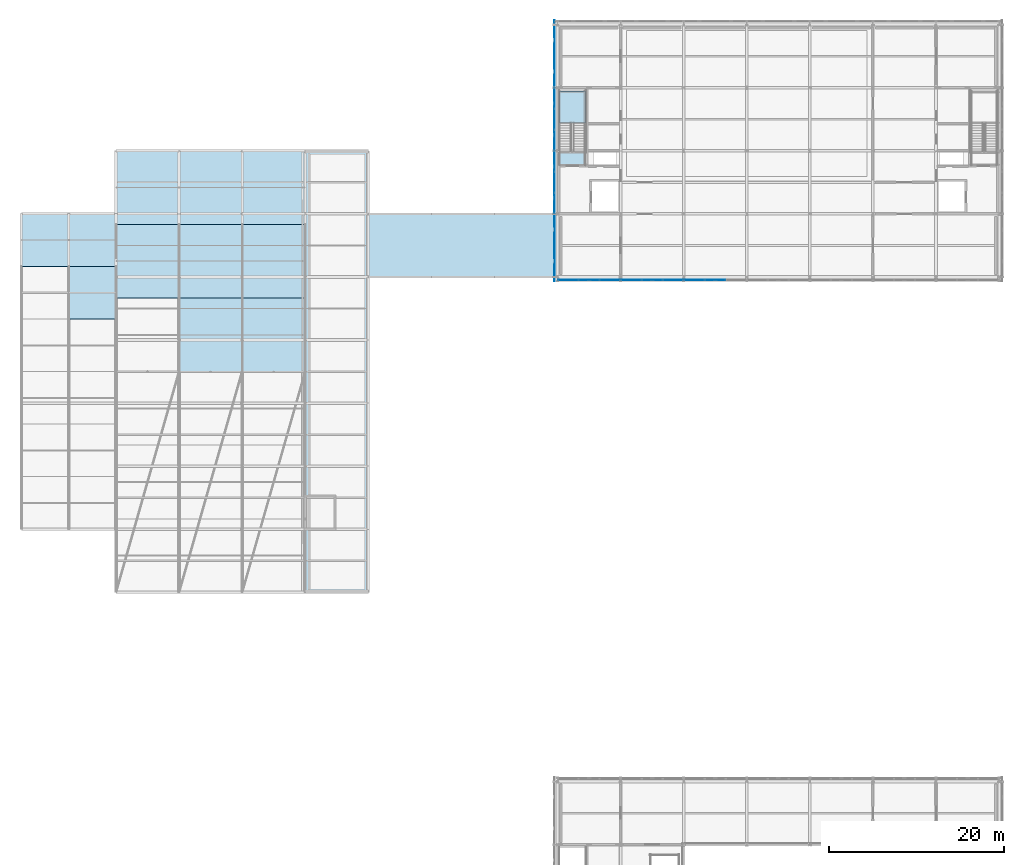
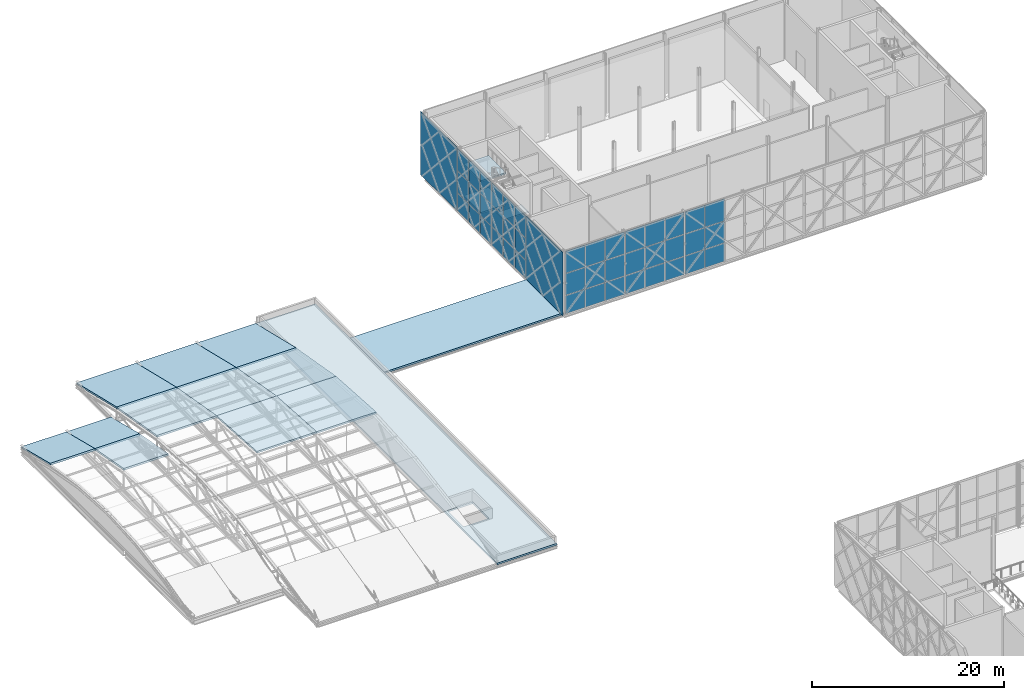
# One storey, part 56 of 76: 44 plates, 16 slabs, 6 elements without a shape of their own.
"""IFC4 building model written with IfcOpenShell, lengths in metres."""

from ifc_helpers import new_model, si_unit, direction, frame, origin, origin_2d, place, context, subcontext, project, spatial, polyline, rectangle, outline, extrude, material, layer, layer_set, type_object, element, aggregate, save


model = new_model("IFC4")

# Units and contexts
model_context = context("Model", 3, precision=1e-05, world=origin(), true_north=direction((0.0, 1.0)))
body_context = subcontext(model_context, "Body", "Model", "MODEL_VIEW")
ifc_project = project(units=[si_unit("LENGTHUNIT", "METRE"), si_unit("AREAUNIT", "SQUARE_METRE"), si_unit("VOLUMEUNIT", "CUBIC_METRE"), si_unit("PLANEANGLEUNIT", "RADIAN"), si_unit("MASSUNIT", "GRAM", prefix="KILO")], contexts=[model_context])

# Site, building, storey
site_placement = place(None, origin())
site = spatial("IfcSite", under=ifc_project, at=site_placement, CompositionType="ELEMENT")
building_placement = place(site_placement, origin())
building = spatial("IfcBuilding", under=site, at=building_placement, Name="Zlatovets Crest Museum", CompositionType="ELEMENT")
storey_placement = place(building_placement, frame((0.0, 0.0, 17.10009765625)))
storey = spatial("IfcBuildingStorey", under=building, at=storey_placement, Name="L04", CompositionType="ELEMENT", Elevation=17.10009765625)

# Curtain wall, plates
ifc_material_1 = material(Name="Bronze-anodised aluminium and low-E triple glass", Category="aluminium")
curtain_wall_type_1 = type_object("IfcCurtainWallType", Name="CW_CW-V1-L04-M0", PredefinedType="NOTDEFINED", material=ifc_material_1)
curtain_wall_1_placement = place(storey_placement, origin())
curtain_wall_1 = element("IfcCurtainWall", 1, at=curtain_wall_1_placement, inside=storey, type_object=curtain_wall_type_1, Name="V1 L04 Secession Foyer Clear Curtain Wall", PredefinedType="NOTDEFINED")
ifc_material_2 = material(Name="Solar-control low-E laminated triple glass", Category="glass")
ifc_layer_1 = layer(ifc_material_2, 0.028076171875)
ifc_layer_set_1 = layer_set([ifc_layer_1], Name="Solar-control low-E laminated triple glass")
plate_type_1 = type_object("IfcPlateType", Name="CWPanel_CW-V1-L04-M0", PredefinedType="CURTAIN_PANEL", material=ifc_layer_set_1)
plate_1_placement = place(storey_placement, frame((58.81494140625, 86.06005859375, 0.059814453125), z_axis=(0.0, 0.0, 1.0), x_axis=(1.0, 0.0, 0.0)))
plate_1 = element("IfcPlate", 2, at=plate_1_placement, type_object=plate_type_1, Name="CW-V1-L04-M0 panel 1.1", PredefinedType="CURTAIN_PANEL", context=body_context, shape_type="SweptSolid", body=[
    extrude(rectangle(XDim=2.31005859375, YDim=0.028076171875, at=origin_2d()), origin(), (0.0, 0.0, 1.0), 2.31005859375),
])
plate_2_placement = place(storey_placement, frame((58.81494140625, 86.06005859375, 2.4296875), z_axis=(0.0, 0.0, 1.0), x_axis=(1.0, 0.0, 0.0)))
plate_2 = element("IfcPlate", 3, at=plate_2_placement, type_object=plate_type_1, Name="CW-V1-L04-M0 panel 1.2", PredefinedType="CURTAIN_PANEL", context=body_context, shape_type="SweptSolid", body=[
    extrude(rectangle(XDim=2.31005859375, YDim=0.028076171875, at=origin_2d()), origin(), (0.0, 0.0, 1.0), 2.739990234375),
])
plate_3_placement = place(storey_placement, frame((58.81494140625, 86.06005859375, 5.22998046875), z_axis=(0.0, 0.0, 1.0), x_axis=(1.0, 0.0, 0.0)))
plate_3 = element("IfcPlate", 4, at=plate_3_placement, type_object=plate_type_1, Name="CW-V1-L04-M0 panel 1.3", PredefinedType="CURTAIN_PANEL", context=body_context, shape_type="SweptSolid", body=[
    extrude(rectangle(XDim=2.31005859375, YDim=0.028076171875, at=origin_2d()), origin(), (0.0, 0.0, 1.0), 2.81005859375),
])
plate_4_placement = place(storey_placement, frame((61.199951171875, 86.06005859375, 0.059814453125), z_axis=(0.0, 0.0, 1.0), x_axis=(1.0, 0.0, 0.0)))
plate_4 = element("IfcPlate", 5, at=plate_4_placement, type_object=plate_type_1, Name="CW-V1-L04-M0 panel 2.1", PredefinedType="CURTAIN_PANEL", context=body_context, shape_type="SweptSolid", body=[
    extrude(rectangle(XDim=2.340087890625, YDim=0.028076171875, at=origin_2d()), origin(), (0.0, 0.0, 1.0), 2.31005859375),
])
plate_5_placement = place(storey_placement, frame((61.199951171875, 86.06005859375, 2.4296875), z_axis=(0.0, 0.0, 1.0), x_axis=(1.0, 0.0, 0.0)))
plate_5 = element("IfcPlate", 6, at=plate_5_placement, type_object=plate_type_1, Name="CW-V1-L04-M0 panel 2.2", PredefinedType="CURTAIN_PANEL", context=body_context, shape_type="SweptSolid", body=[
    extrude(rectangle(XDim=2.340087890625, YDim=0.028076171875, at=origin_2d()), origin(), (0.0, 0.0, 1.0), 2.739990234375),
])
plate_6_placement = place(storey_placement, frame((61.199951171875, 86.06005859375, 5.22998046875), z_axis=(0.0, 0.0, 1.0), x_axis=(1.0, 0.0, 0.0)))
plate_6 = element("IfcPlate", 7, at=plate_6_placement, type_object=plate_type_1, Name="CW-V1-L04-M0 panel 2.3", PredefinedType="CURTAIN_PANEL", context=body_context, shape_type="SweptSolid", body=[
    extrude(rectangle(XDim=2.340087890625, YDim=0.028076171875, at=origin_2d()), origin(), (0.0, 0.0, 1.0), 2.81005859375),
])
plate_7_placement = place(storey_placement, frame((63.5849609375, 86.06005859375, 0.059814453125), z_axis=(0.0, 0.0, 1.0), x_axis=(1.0, 0.0, 0.0)))
plate_7 = element("IfcPlate", 8, at=plate_7_placement, type_object=plate_type_1, Name="CW-V1-L04-M0 panel 3.1", PredefinedType="CURTAIN_PANEL", context=body_context, shape_type="SweptSolid", body=[
    extrude(rectangle(XDim=2.31005859375, YDim=0.028076171875, at=origin_2d()), origin(), (0.0, 0.0, 1.0), 2.31005859375),
])
plate_8_placement = place(storey_placement, frame((63.5849609375, 86.06005859375, 2.4296875), z_axis=(0.0, 0.0, 1.0), x_axis=(1.0, 0.0, 0.0)))
plate_8 = element("IfcPlate", 9, at=plate_8_placement, type_object=plate_type_1, Name="CW-V1-L04-M0 panel 3.2", PredefinedType="CURTAIN_PANEL", context=body_context, shape_type="SweptSolid", body=[
    extrude(rectangle(XDim=2.31005859375, YDim=0.028076171875, at=origin_2d()), origin(), (0.0, 0.0, 1.0), 2.739990234375),
])
plate_9_placement = place(storey_placement, frame((63.5849609375, 86.06005859375, 5.22998046875), z_axis=(0.0, 0.0, 1.0), x_axis=(1.0, 0.0, 0.0)))
plate_9 = element("IfcPlate", 10, at=plate_9_placement, type_object=plate_type_1, Name="CW-V1-L04-M0 panel 3.3", PredefinedType="CURTAIN_PANEL", context=body_context, shape_type="SweptSolid", body=[
    extrude(rectangle(XDim=2.31005859375, YDim=0.028076171875, at=origin_2d()), origin(), (0.0, 0.0, 1.0), 2.81005859375),
])
aggregate(curtain_wall_1, [plate_1, plate_2, plate_3, plate_4, plate_5, plate_6, plate_7, plate_8, plate_9])

curtain_wall_2_placement = place(storey_placement, origin())
curtain_wall_2 = element("IfcCurtainWall", 11, at=curtain_wall_2_placement, inside=storey, type_object=curtain_wall_type_1, Name="V1 L04 Expressed Core Glazed Facade", PredefinedType="NOTDEFINED")
plate_10_placement = place(storey_placement, frame((57.260009765625, 99.5849609375, 0.059814453125), z_axis=(0.0, 0.0, 1.0), x_axis=(0.0, -1.0, 0.0)))
plate_10 = element("IfcPlate", 12, at=plate_10_placement, type_object=plate_type_1, Name="CW-V1-L04-M0 panel 1.1", PredefinedType="CURTAIN_PANEL", context=body_context, shape_type="SweptSolid", body=[
    extrude(rectangle(XDim=2.31005859375, YDim=0.030029296875, at=origin_2d()), origin(), (0.0, 0.0, 1.0), 2.31005859375),
])
plate_11_placement = place(storey_placement, frame((57.260009765625, 99.5849609375, 2.4296875), z_axis=(0.0, 0.0, 1.0), x_axis=(0.0, -1.0, 0.0)))
plate_11 = element("IfcPlate", 13, at=plate_11_placement, type_object=plate_type_1, Name="CW-V1-L04-M0 panel 1.2", PredefinedType="CURTAIN_PANEL", context=body_context, shape_type="SweptSolid", body=[
    extrude(rectangle(XDim=2.31005859375, YDim=0.030029296875, at=origin_2d()), origin(), (0.0, 0.0, 1.0), 2.739990234375),
])
plate_12_placement = place(storey_placement, frame((57.260009765625, 99.5849609375, 5.22998046875), z_axis=(0.0, 0.0, 1.0), x_axis=(0.0, -1.0, 0.0)))
plate_12 = element("IfcPlate", 14, at=plate_12_placement, type_object=plate_type_1, Name="CW-V1-L04-M0 panel 1.3", PredefinedType="CURTAIN_PANEL", context=body_context, shape_type="SweptSolid", body=[
    extrude(rectangle(XDim=2.31005859375, YDim=0.030029296875, at=origin_2d()), origin(), (0.0, 0.0, 1.0), 2.81005859375),
])
plate_13_placement = place(storey_placement, frame((57.260009765625, 97.199951171875, 0.059814453125), z_axis=(0.0, 0.0, 1.0), x_axis=(0.0, -1.0, 0.0)))
plate_13 = element("IfcPlate", 15, at=plate_13_placement, type_object=plate_type_1, Name="CW-V1-L04-M0 panel 2.1", PredefinedType="CURTAIN_PANEL", context=body_context, shape_type="SweptSolid", body=[
    extrude(rectangle(XDim=2.340087890625, YDim=0.030029296875, at=origin_2d()), origin(), (0.0, 0.0, 1.0), 2.31005859375),
])
plate_14_placement = place(storey_placement, frame((57.260009765625, 97.199951171875, 2.4296875), z_axis=(0.0, 0.0, 1.0), x_axis=(0.0, -1.0, 0.0)))
plate_14 = element("IfcPlate", 16, at=plate_14_placement, type_object=plate_type_1, Name="CW-V1-L04-M0 panel 2.2", PredefinedType="CURTAIN_PANEL", context=body_context, shape_type="SweptSolid", body=[
    extrude(rectangle(XDim=2.340087890625, YDim=0.030029296875, at=origin_2d()), origin(), (0.0, 0.0, 1.0), 2.739990234375),
])
plate_15_placement = place(storey_placement, frame((57.260009765625, 97.199951171875, 5.22998046875), z_axis=(0.0, 0.0, 1.0), x_axis=(0.0, -1.0, 0.0)))
plate_15 = element("IfcPlate", 17, at=plate_15_placement, type_object=plate_type_1, Name="CW-V1-L04-M0 panel 2.3", PredefinedType="CURTAIN_PANEL", context=body_context, shape_type="SweptSolid", body=[
    extrude(rectangle(XDim=2.340087890625, YDim=0.030029296875, at=origin_2d()), origin(), (0.0, 0.0, 1.0), 2.81005859375),
])
plate_16_placement = place(storey_placement, frame((57.260009765625, 94.81494140625, 0.059814453125), z_axis=(0.0, 0.0, 1.0), x_axis=(0.0, -1.0, 0.0)))
plate_16 = element("IfcPlate", 18, at=plate_16_placement, type_object=plate_type_1, Name="CW-V1-L04-M0 panel 3.1", PredefinedType="CURTAIN_PANEL", context=body_context, shape_type="SweptSolid", body=[
    extrude(rectangle(XDim=2.31005859375, YDim=0.030029296875, at=origin_2d()), origin(), (0.0, 0.0, 1.0), 2.31005859375),
])
plate_17_placement = place(storey_placement, frame((57.260009765625, 94.81494140625, 2.4296875), z_axis=(0.0, 0.0, 1.0), x_axis=(0.0, -1.0, 0.0)))
plate_17 = element("IfcPlate", 19, at=plate_17_placement, type_object=plate_type_1, Name="CW-V1-L04-M0 panel 3.2", PredefinedType="CURTAIN_PANEL", context=body_context, shape_type="SweptSolid", body=[
    extrude(rectangle(XDim=2.31005859375, YDim=0.030029296875, at=origin_2d()), origin(), (0.0, 0.0, 1.0), 2.739990234375),
])
plate_18_placement = place(storey_placement, frame((57.260009765625, 94.81494140625, 5.22998046875), z_axis=(0.0, 0.0, 1.0), x_axis=(0.0, -1.0, 0.0)))
plate_18 = element("IfcPlate", 20, at=plate_18_placement, type_object=plate_type_1, Name="CW-V1-L04-M0 panel 3.3", PredefinedType="CURTAIN_PANEL", context=body_context, shape_type="SweptSolid", body=[
    extrude(rectangle(XDim=2.31005859375, YDim=0.030029296875, at=origin_2d()), origin(), (0.0, 0.0, 1.0), 2.81005859375),
])
aggregate(curtain_wall_2, [plate_10, plate_11, plate_12, plate_13, plate_14, plate_15, plate_16, plate_17, plate_18])

curtain_wall_type_2 = type_object("IfcCurtainWallType", Name="CW_CW-V1-L04-M1", PredefinedType="NOTDEFINED", material=ifc_material_1)
curtain_wall_3_placement = place(storey_placement, origin())
curtain_wall_3 = element("IfcCurtainWall", 21, at=curtain_wall_3_placement, inside=storey, type_object=curtain_wall_type_2, Name="V1 L04 Secession Foyer Clear Curtain Wall", PredefinedType="NOTDEFINED")
ifc_layer_2 = layer(ifc_material_2, 0.031982421875)
ifc_layer_set_2 = layer_set([ifc_layer_2], Name="Solar-control low-E laminated triple glass")
plate_type_2 = type_object("IfcPlateType", Name="CWPanel_CW-V1-L04-M1", PredefinedType="CURTAIN_PANEL", material=ifc_layer_set_2)
plate_19_placement = place(storey_placement, frame((66.014892578125, 86.06005859375, 0.059814453125), z_axis=(0.0, 0.0, 1.0), x_axis=(1.0, 0.0, 0.0)))
plate_19 = element("IfcPlate", 22, at=plate_19_placement, type_object=plate_type_2, Name="CW-V1-L04-M1 panel 1.1", PredefinedType="CURTAIN_PANEL", context=body_context, shape_type="SweptSolid", body=[
    extrude(rectangle(XDim=2.31005859375, YDim=0.031982421875, at=origin_2d()), origin(), (0.0, 0.0, 1.0), 2.31005859375),
])
plate_20_placement = place(storey_placement, frame((66.014892578125, 86.06005859375, 2.4296875), z_axis=(0.0, 0.0, 1.0), x_axis=(1.0, 0.0, 0.0)))
plate_20 = element("IfcPlate", 23, at=plate_20_placement, type_object=plate_type_2, Name="CW-V1-L04-M1 panel 1.2", PredefinedType="CURTAIN_PANEL", context=body_context, shape_type="SweptSolid", body=[
    extrude(rectangle(XDim=2.31005859375, YDim=0.031982421875, at=origin_2d()), origin(), (0.0, 0.0, 1.0), 2.739990234375),
])
plate_21_placement = place(storey_placement, frame((66.014892578125, 86.06005859375, 5.22998046875), z_axis=(0.0, 0.0, 1.0), x_axis=(1.0, 0.0, 0.0)))
plate_21 = element("IfcPlate", 24, at=plate_21_placement, type_object=plate_type_2, Name="CW-V1-L04-M1 panel 1.3", PredefinedType="CURTAIN_PANEL", context=body_context, shape_type="SweptSolid", body=[
    extrude(rectangle(XDim=2.31005859375, YDim=0.031982421875, at=origin_2d()), origin(), (0.0, 0.0, 1.0), 2.81005859375),
])
plate_22_placement = place(storey_placement, frame((68.39990234375, 86.06005859375, 0.059814453125), z_axis=(0.0, 0.0, 1.0), x_axis=(1.0, 0.0, 0.0)))
plate_22 = element("IfcPlate", 25, at=plate_22_placement, type_object=plate_type_2, Name="CW-V1-L04-M1 panel 2.1", PredefinedType="CURTAIN_PANEL", context=body_context, shape_type="SweptSolid", body=[
    extrude(rectangle(XDim=2.340087890625, YDim=0.031982421875, at=origin_2d()), origin(), (0.0, 0.0, 1.0), 2.31005859375),
])
plate_23_placement = place(storey_placement, frame((68.39990234375, 86.06005859375, 2.4296875), z_axis=(0.0, 0.0, 1.0), x_axis=(1.0, 0.0, 0.0)))
plate_23 = element("IfcPlate", 26, at=plate_23_placement, type_object=plate_type_2, Name="CW-V1-L04-M1 panel 2.2", PredefinedType="CURTAIN_PANEL", context=body_context, shape_type="SweptSolid", body=[
    extrude(rectangle(XDim=2.340087890625, YDim=0.031982421875, at=origin_2d()), origin(), (0.0, 0.0, 1.0), 2.739990234375),
])
plate_24_placement = place(storey_placement, frame((68.39990234375, 86.06005859375, 5.22998046875), z_axis=(0.0, 0.0, 1.0), x_axis=(1.0, 0.0, 0.0)))
plate_24 = element("IfcPlate", 27, at=plate_24_placement, type_object=plate_type_2, Name="CW-V1-L04-M1 panel 2.3", PredefinedType="CURTAIN_PANEL", context=body_context, shape_type="SweptSolid", body=[
    extrude(rectangle(XDim=2.340087890625, YDim=0.031982421875, at=origin_2d()), origin(), (0.0, 0.0, 1.0), 2.81005859375),
])
plate_25_placement = place(storey_placement, frame((70.784912109375, 86.06005859375, 0.059814453125), z_axis=(0.0, 0.0, 1.0), x_axis=(1.0, 0.0, 0.0)))
plate_25 = element("IfcPlate", 28, at=plate_25_placement, type_object=plate_type_2, Name="CW-V1-L04-M1 panel 3.1", PredefinedType="CURTAIN_PANEL", context=body_context, shape_type="SweptSolid", body=[
    extrude(rectangle(XDim=2.31005859375, YDim=0.031982421875, at=origin_2d()), origin(), (0.0, 0.0, 1.0), 2.31005859375),
])
plate_26_placement = place(storey_placement, frame((70.784912109375, 86.06005859375, 2.4296875), z_axis=(0.0, 0.0, 1.0), x_axis=(1.0, 0.0, 0.0)))
plate_26 = element("IfcPlate", 29, at=plate_26_placement, type_object=plate_type_2, Name="CW-V1-L04-M1 panel 3.2", PredefinedType="CURTAIN_PANEL", context=body_context, shape_type="SweptSolid", body=[
    extrude(rectangle(XDim=2.31005859375, YDim=0.031982421875, at=origin_2d()), origin(), (0.0, 0.0, 1.0), 2.739990234375),
])
plate_27_placement = place(storey_placement, frame((70.784912109375, 86.06005859375, 5.22998046875), z_axis=(0.0, 0.0, 1.0), x_axis=(1.0, 0.0, 0.0)))
plate_27 = element("IfcPlate", 30, at=plate_27_placement, type_object=plate_type_2, Name="CW-V1-L04-M1 panel 3.3", PredefinedType="CURTAIN_PANEL", context=body_context, shape_type="SweptSolid", body=[
    extrude(rectangle(XDim=2.31005859375, YDim=0.031982421875, at=origin_2d()), origin(), (0.0, 0.0, 1.0), 2.81005859375),
])
aggregate(curtain_wall_3, [plate_19, plate_20, plate_21, plate_22, plate_23, plate_24, plate_25, plate_26, plate_27])

curtain_wall_type_3 = type_object("IfcCurtainWallType", Name="CW_CW-V1-L04-M2", PredefinedType="NOTDEFINED", material=ifc_material_1)
curtain_wall_4_placement = place(storey_placement, origin())
curtain_wall_4 = element("IfcCurtainWall", 31, at=curtain_wall_4_placement, inside=storey, type_object=curtain_wall_type_3, Name="V1 L04 Secession Foyer Clear Curtain Wall", PredefinedType="NOTDEFINED")
ifc_layer_3 = layer(ifc_material_2, 0.035888671875)
ifc_layer_set_3 = layer_set([ifc_layer_3], Name="Solar-control low-E laminated triple glass")
plate_type_3 = type_object("IfcPlateType", Name="CWPanel_CW-V1-L04-M2", PredefinedType="CURTAIN_PANEL", material=ifc_layer_set_3)
plate_28_placement = place(storey_placement, frame((73.215087890625, 86.06005859375, 0.059814453125), z_axis=(0.0, 0.0, 1.0), x_axis=(1.0, 0.0, 0.0)))
plate_28 = element("IfcPlate", 32, at=plate_28_placement, type_object=plate_type_3, Name="CW-V1-L04-M2 panel 1.1", PredefinedType="CURTAIN_PANEL", context=body_context, shape_type="SweptSolid", body=[
    extrude(rectangle(XDim=2.31005859375, YDim=0.035888671875, at=origin_2d()), origin(), (0.0, 0.0, 1.0), 2.31005859375),
])
plate_29_placement = place(storey_placement, frame((73.215087890625, 86.06005859375, 2.4296875), z_axis=(0.0, 0.0, 1.0), x_axis=(1.0, 0.0, 0.0)))
plate_29 = element("IfcPlate", 33, at=plate_29_placement, type_object=plate_type_3, Name="CW-V1-L04-M2 panel 1.2", PredefinedType="CURTAIN_PANEL", context=body_context, shape_type="SweptSolid", body=[
    extrude(rectangle(XDim=2.31005859375, YDim=0.035888671875, at=origin_2d()), origin(), (0.0, 0.0, 1.0), 2.739990234375),
])
plate_30_placement = place(storey_placement, frame((73.215087890625, 86.06005859375, 5.22998046875), z_axis=(0.0, 0.0, 1.0), x_axis=(1.0, 0.0, 0.0)))
plate_30 = element("IfcPlate", 34, at=plate_30_placement, type_object=plate_type_3, Name="CW-V1-L04-M2 panel 1.3", PredefinedType="CURTAIN_PANEL", context=body_context, shape_type="SweptSolid", body=[
    extrude(rectangle(XDim=2.31005859375, YDim=0.035888671875, at=origin_2d()), origin(), (0.0, 0.0, 1.0), 2.81005859375),
])
plate_31_placement = place(storey_placement, frame((75.60009765625, 86.06005859375, 0.059814453125), z_axis=(0.0, 0.0, 1.0), x_axis=(1.0, 0.0, 0.0)))
plate_31 = element("IfcPlate", 35, at=plate_31_placement, type_object=plate_type_3, Name="CW-V1-L04-M2 panel 2.1", PredefinedType="CURTAIN_PANEL", context=body_context, shape_type="SweptSolid", body=[
    extrude(rectangle(XDim=2.340087890625, YDim=0.035888671875, at=origin_2d()), origin(), (0.0, 0.0, 1.0), 2.31005859375),
])
plate_32_placement = place(storey_placement, frame((75.60009765625, 86.06005859375, 2.4296875), z_axis=(0.0, 0.0, 1.0), x_axis=(1.0, 0.0, 0.0)))
plate_32 = element("IfcPlate", 36, at=plate_32_placement, type_object=plate_type_3, Name="CW-V1-L04-M2 panel 2.2", PredefinedType="CURTAIN_PANEL", context=body_context, shape_type="SweptSolid", body=[
    extrude(rectangle(XDim=2.340087890625, YDim=0.035888671875, at=origin_2d()), origin(), (0.0, 0.0, 1.0), 2.739990234375),
])
plate_33_placement = place(storey_placement, frame((75.60009765625, 86.06005859375, 5.22998046875), z_axis=(0.0, 0.0, 1.0), x_axis=(1.0, 0.0, 0.0)))
plate_33 = element("IfcPlate", 37, at=plate_33_placement, type_object=plate_type_3, Name="CW-V1-L04-M2 panel 2.3", PredefinedType="CURTAIN_PANEL", context=body_context, shape_type="SweptSolid", body=[
    extrude(rectangle(XDim=2.340087890625, YDim=0.035888671875, at=origin_2d()), origin(), (0.0, 0.0, 1.0), 2.81005859375),
])
aggregate(curtain_wall_4, [plate_28, plate_29, plate_30, plate_31, plate_32, plate_33])

curtain_wall_type_4 = type_object("IfcCurtainWallType", Name="CW_CW-V1-L04-M3", PredefinedType="NOTDEFINED", material=ifc_material_1)
curtain_wall_5_placement = place(storey_placement, origin())
curtain_wall_5 = element("IfcCurtainWall", 38, at=curtain_wall_5_placement, inside=storey, type_object=curtain_wall_type_4, Name="V1 L04 Expressed Core Glazed Facade", PredefinedType="NOTDEFINED")
ifc_layer_4 = layer(ifc_material_2, 0.0400390625)
ifc_layer_set_4 = layer_set([ifc_layer_4], Name="Solar-control low-E laminated triple glass")
plate_type_4 = type_object("IfcPlateType", Name="CWPanel_CW-V1-L04-M3", PredefinedType="CURTAIN_PANEL", material=ifc_layer_set_4)
plate_34_placement = place(storey_placement, frame((57.260009765625, 106.784912109375, 0.059814453125), z_axis=(0.0, 0.0, 1.0), x_axis=(0.0, -1.0, 0.0)))
plate_34 = element("IfcPlate", 39, at=plate_34_placement, type_object=plate_type_4, Name="CW-V1-L04-M3 panel 1.1", PredefinedType="CURTAIN_PANEL", context=body_context, shape_type="SweptSolid", body=[
    extrude(rectangle(XDim=2.31005859375, YDim=0.030029296875, at=origin_2d()), origin(), (0.0, 0.0, 1.0), 2.31005859375),
])
plate_35_placement = place(storey_placement, frame((57.260009765625, 106.784912109375, 2.4296875), z_axis=(0.0, 0.0, 1.0), x_axis=(0.0, -1.0, 0.0)))
plate_35 = element("IfcPlate", 40, at=plate_35_placement, type_object=plate_type_4, Name="CW-V1-L04-M3 panel 1.2", PredefinedType="CURTAIN_PANEL", context=body_context, shape_type="SweptSolid", body=[
    extrude(rectangle(XDim=2.31005859375, YDim=0.030029296875, at=origin_2d()), origin(), (0.0, 0.0, 1.0), 2.739990234375),
])
plate_36_placement = place(storey_placement, frame((57.260009765625, 106.784912109375, 5.22998046875), z_axis=(0.0, 0.0, 1.0), x_axis=(0.0, -1.0, 0.0)))
plate_36 = element("IfcPlate", 41, at=plate_36_placement, type_object=plate_type_4, Name="CW-V1-L04-M3 panel 1.3", PredefinedType="CURTAIN_PANEL", context=body_context, shape_type="SweptSolid", body=[
    extrude(rectangle(XDim=2.31005859375, YDim=0.030029296875, at=origin_2d()), origin(), (0.0, 0.0, 1.0), 2.81005859375),
])
plate_37_placement = place(storey_placement, frame((57.260009765625, 104.39990234375, 0.059814453125), z_axis=(0.0, 0.0, 1.0), x_axis=(0.0, -1.0, 0.0)))
plate_37 = element("IfcPlate", 42, at=plate_37_placement, type_object=plate_type_4, Name="CW-V1-L04-M3 panel 2.1", PredefinedType="CURTAIN_PANEL", context=body_context, shape_type="SweptSolid", body=[
    extrude(rectangle(XDim=2.340087890625, YDim=0.030029296875, at=origin_2d()), origin(), (0.0, 0.0, 1.0), 2.31005859375),
])
plate_38_placement = place(storey_placement, frame((57.260009765625, 104.39990234375, 2.4296875), z_axis=(0.0, 0.0, 1.0), x_axis=(0.0, -1.0, 0.0)))
plate_38 = element("IfcPlate", 43, at=plate_38_placement, type_object=plate_type_4, Name="CW-V1-L04-M3 panel 2.2", PredefinedType="CURTAIN_PANEL", context=body_context, shape_type="SweptSolid", body=[
    extrude(rectangle(XDim=2.340087890625, YDim=0.030029296875, at=origin_2d()), origin(), (0.0, 0.0, 1.0), 2.739990234375),
])
plate_39_placement = place(storey_placement, frame((57.260009765625, 104.39990234375, 5.22998046875), z_axis=(0.0, 0.0, 1.0), x_axis=(0.0, -1.0, 0.0)))
plate_39 = element("IfcPlate", 44, at=plate_39_placement, type_object=plate_type_4, Name="CW-V1-L04-M3 panel 2.3", PredefinedType="CURTAIN_PANEL", context=body_context, shape_type="SweptSolid", body=[
    extrude(rectangle(XDim=2.340087890625, YDim=0.030029296875, at=origin_2d()), origin(), (0.0, 0.0, 1.0), 2.81005859375),
])
plate_40_placement = place(storey_placement, frame((57.260009765625, 102.014892578125, 0.059814453125), z_axis=(0.0, 0.0, 1.0), x_axis=(0.0, -1.0, 0.0)))
plate_40 = element("IfcPlate", 45, at=plate_40_placement, type_object=plate_type_4, Name="CW-V1-L04-M3 panel 3.1", PredefinedType="CURTAIN_PANEL", context=body_context, shape_type="SweptSolid", body=[
    extrude(rectangle(XDim=2.31005859375, YDim=0.030029296875, at=origin_2d()), origin(), (0.0, 0.0, 1.0), 2.31005859375),
])
plate_41_placement = place(storey_placement, frame((57.260009765625, 102.014892578125, 2.4296875), z_axis=(0.0, 0.0, 1.0), x_axis=(0.0, -1.0, 0.0)))
plate_41 = element("IfcPlate", 46, at=plate_41_placement, type_object=plate_type_4, Name="CW-V1-L04-M3 panel 3.2", PredefinedType="CURTAIN_PANEL", context=body_context, shape_type="SweptSolid", body=[
    extrude(rectangle(XDim=2.31005859375, YDim=0.030029296875, at=origin_2d()), origin(), (0.0, 0.0, 1.0), 2.739990234375),
])
plate_42_placement = place(storey_placement, frame((57.260009765625, 102.014892578125, 5.22998046875), z_axis=(0.0, 0.0, 1.0), x_axis=(0.0, -1.0, 0.0)))
plate_42 = element("IfcPlate", 47, at=plate_42_placement, type_object=plate_type_4, Name="CW-V1-L04-M3 panel 3.3", PredefinedType="CURTAIN_PANEL", context=body_context, shape_type="SweptSolid", body=[
    extrude(rectangle(XDim=2.31005859375, YDim=0.030029296875, at=origin_2d()), origin(), (0.0, 0.0, 1.0), 2.81005859375),
])
aggregate(curtain_wall_5, [plate_34, plate_35, plate_36, plate_37, plate_38, plate_39, plate_40, plate_41, plate_42])

# Plates
ifc_material_3 = material(Name="Ceramic-fritted low-E laminated architectural glass", Category="glass")
ifc_layer_5 = layer(ifc_material_3, 0.031982421875)
ifc_layer_set_5 = layer_set([ifc_layer_5], Name="Ceramic-fritted low-E laminated architectural glass")
plate_type_5 = type_object("IfcPlateType", Name="GlazedSpandrel_GSP1", PredefinedType="USERDEFINED", material=ifc_layer_set_5)
for number, where, z_axis, x_axis, name in (
    (48, (57.260009765625, 111.840087890625, -0.000244140625), (0.0, 0.0, 1.0), (0.0, 1.0, 0.0), "V1 L04 Ceramic-Fritted Gallery Glass Skin"),
    (49, (57.260009765625, 89.760009765625, -0.000244140625), (0.0, 0.0, 1.0), (0.0, 1.0, 0.0), "V1 L04 Ceramic-Fritted Gallery Glass Skin"),
):
    element("IfcPlate", number, at=place(storey_placement, frame(where, z_axis=z_axis, x_axis=x_axis)), inside=storey, type_object=plate_type_5, Name=name, ObjectType="GLAZED_SPANDREL", PredefinedType="USERDEFINED", context=body_context, shape_type="SweptSolid", body=[
        extrude(rectangle(XDim=7.679931640625, YDim=0.031982421875, at=origin_2d()), origin(), (0.0, 0.0, 1.0), 8.10009765625),
    ])

# Slabs
ifc_material_4 = material(Name="Concrete C30/37", Category="concrete")
ifc_layer_6 = layer(ifc_material_4, 0.219970703125)
ifc_layer_set_6 = layer_set([ifc_layer_6], Name="Concrete C30/37")
slab_type_1 = type_object("IfcSlabType", Name="Slab_RS-01", PredefinedType="ROOF", material=ifc_layer_set_6)
slab_1_placement = place(storey_placement, frame((0.0, 0.0, -0.22021484375)))
element("IfcSlab", 50, at=slab_1_placement, inside=storey, type_object=slab_type_1, Name="V4 L04 East Core Wing Roof Slab", PredefinedType="ROOF", context=body_context, shape_type="SweptSolid", body=[
    extrude(outline(polyline([(28.800048828125, 50.39990234375), (28.800048828125, 100.800048828125), (36.0, 100.800048828125), (36.0, 50.39990234375), (28.800048828125, 50.39990234375)]), holes=[polyline([(32.14990234375, 61.300048828125), (29.10009765625, 61.300048828125), (29.10009765625, 57.89990234375), (32.14990234375, 57.89990234375), (32.14990234375, 61.300048828125)])]), origin(), (0.0, 0.0, 1.0), 0.22021484375),
])
ifc_layer_7 = layer(ifc_material_4, 0.219970703125)
ifc_layer_set_7 = layer_set([ifc_layer_7], Name="Concrete C30/37")
slab_type_2 = type_object("IfcSlabType", Name="Slab_RS-02", PredefinedType="ROOF", material=ifc_layer_set_7)
slab_2_placement = place(storey_placement, frame((7.199951171875, 84.0, 3.464111328125), z_axis=(0.0, 0.171712130766, 0.985147168776), x_axis=(1.0, 0.0, 0.0)))
element("IfcSlab", 51, at=slab_2_placement, inside=storey, type_object=slab_type_2, Name="V4 Art Nouveau Barrel Vault Shell Facet", PredefinedType="ROOF", context=body_context, shape_type="SweptSolid", body=[
    extrude(outline(polyline([(0.0, 0.0), (7.199951171875, 0.0), (7.199951171875, 8.52654568777302), (0.0, 8.52654568777302), (0.0, 0.0)])), origin(), (0.0, 0.0, -1.0), 0.219970703125),
])
slab_3_placement = place(storey_placement, frame((7.199951171875, 92.39990234375, 2.0), z_axis=(0.0, 0.231616704918, 0.97280712477), x_axis=(1.0, 0.0, 0.0)))
element("IfcSlab", 52, at=slab_3_placement, inside=storey, type_object=slab_type_2, Name="V4 Art Nouveau Barrel Vault Shell Facet", PredefinedType="ROOF", context=body_context, shape_type="SweptSolid", body=[
    extrude(outline(polyline([(0.0, 0.0), (7.199951171875, 0.0), (7.199951171875, 8.634955758946173), (0.0, 8.634955758946173), (0.0, 0.0)])), origin(), (0.0, 0.0, -1.0), 0.219970703125),
])
slab_4_placement = place(storey_placement, frame((14.39990234375, 75.60009765625, 4.0), z_axis=(0.0, 0.063667578324, 0.997971161643), x_axis=(1.0, 0.0, 0.0)))
element("IfcSlab", 53, at=slab_4_placement, inside=storey, type_object=slab_type_2, Name="V4 Art Nouveau Barrel Vault Shell Facet", PredefinedType="ROOF", context=body_context, shape_type="SweptSolid", body=[
    extrude(outline(polyline([(0.0, 0.0), (7.2001953125, 0.0), (7.2001953125, 8.416979033666456), (0.0, 8.416979033666456), (0.0, 0.0)])), origin(), (0.0, 0.0, -1.0), 0.219970703125),
])
slab_5_placement = place(storey_placement, frame((14.39990234375, 84.0, 3.464111328125), z_axis=(0.0, 0.171712130766, 0.985147168776), x_axis=(1.0, 0.0, 0.0)))
element("IfcSlab", 54, at=slab_5_placement, inside=storey, type_object=slab_type_2, Name="V4 Art Nouveau Barrel Vault Shell Facet", PredefinedType="ROOF", context=body_context, shape_type="SweptSolid", body=[
    extrude(outline(polyline([(0.0, 0.0), (7.2001953125, 0.0), (7.2001953125, 8.52654568777302), (0.0, 8.52654568777302), (0.0, 0.0)])), origin(), (0.0, 0.0, -1.0), 0.219970703125),
])
slab_6_placement = place(storey_placement, frame((14.39990234375, 92.39990234375, 2.0), z_axis=(0.0, 0.231616704918, 0.97280712477), x_axis=(1.0, 0.0, 0.0)))
element("IfcSlab", 55, at=slab_6_placement, inside=storey, type_object=slab_type_2, Name="V4 Art Nouveau Barrel Vault Shell Facet", PredefinedType="ROOF", context=body_context, shape_type="SweptSolid", body=[
    extrude(outline(polyline([(0.0, 0.0), (7.2001953125, 0.0), (7.2001953125, 8.634955758946173), (0.0, 8.634955758946173), (0.0, 0.0)])), origin(), (0.0, 0.0, -1.0), 0.219970703125),
])
slab_7_placement = place(storey_placement, frame((21.60009765625, 75.60009765625, 4.0), z_axis=(0.0, 0.063667578324, 0.997971161643), x_axis=(1.0, 0.0, 0.0)))
element("IfcSlab", 56, at=slab_7_placement, inside=storey, type_object=slab_type_2, Name="V4 Art Nouveau Barrel Vault Shell Facet", PredefinedType="ROOF", context=body_context, shape_type="SweptSolid", body=[
    extrude(outline(polyline([(0.0, 0.0), (7.199951171875, 0.0), (7.199951171875, 8.416979033666454), (0.0, 8.416979033666454), (0.0, 0.0)])), origin(), (0.0, 0.0, -1.0), 0.219970703125),
])
slab_8_placement = place(storey_placement, frame((21.60009765625, 84.0, 3.464111328125), z_axis=(0.0, 0.171712130766, 0.985147168776), x_axis=(1.0, 0.0, 0.0)))
element("IfcSlab", 57, at=slab_8_placement, inside=storey, type_object=slab_type_2, Name="V4 Art Nouveau Barrel Vault Shell Facet", PredefinedType="ROOF", context=body_context, shape_type="SweptSolid", body=[
    extrude(outline(polyline([(0.0, 0.0), (7.199951171875, 0.0), (7.199951171875, 8.52654568777302), (0.0, 8.52654568777302), (0.0, 0.0)])), origin(), (0.0, 0.0, -1.0), 0.219970703125),
])
slab_9_placement = place(storey_placement, frame((21.60009765625, 92.39990234375, 2.0), z_axis=(0.0, 0.231616704918, 0.97280712477), x_axis=(1.0, 0.0, 0.0)))
element("IfcSlab", 58, at=slab_9_placement, inside=storey, type_object=slab_type_2, Name="V4 Art Nouveau Barrel Vault Shell Facet", PredefinedType="ROOF", context=body_context, shape_type="SweptSolid", body=[
    extrude(outline(polyline([(0.0, 0.0), (7.199951171875, 0.0), (7.199951171875, 8.634955758946173), (0.0, 8.634955758946173), (0.0, 0.0)])), origin(), (0.0, 0.0, -1.0), 0.219970703125),
])
slab_10_placement = place(storey_placement, frame((-3.60009765625, 87.60009765625, 1.5), z_axis=(0.0, 0.242535625036, 0.970142500145), x_axis=(1.0, 0.0, 0.0)))
element("IfcSlab", 59, at=slab_10_placement, inside=storey, type_object=slab_type_2, Name="V4 Art Nouveau Barrel Vault Shell Facet", PredefinedType="ROOF", context=body_context, shape_type="SweptSolid", body=[
    extrude(outline(polyline([(0.0, 0.0), (5.400146484375, 0.0), (5.400146484375, 6.18465843842649), (0.0, 6.18465843842649), (0.0, 0.0)])), origin(), (0.0, 0.0, -1.0), 0.219970703125),
])
slab_11_placement = place(storey_placement, frame((1.800048828125, 81.60009765625, 2.597900390625), z_axis=(0.0, 0.179994832294, 0.983667555807), x_axis=(1.0, 0.0, 0.0)))
element("IfcSlab", 60, at=slab_11_placement, inside=storey, type_object=slab_type_2, Name="V4 Art Nouveau Barrel Vault Shell Facet", PredefinedType="ROOF", context=body_context, shape_type="SweptSolid", body=[
    extrude(outline(polyline([(0.0, 0.0), (5.39990234375, 0.0), (5.39990234375, 6.099621731528483), (0.0, 6.099621731528483), (0.0, 0.0)])), origin(), (0.0, 0.0, -1.0), 0.219970703125),
])
slab_12_placement = place(storey_placement, frame((1.800048828125, 87.60009765625, 1.5), z_axis=(0.0, 0.242535625036, 0.970142500145), x_axis=(1.0, 0.0, 0.0)))
element("IfcSlab", 61, at=slab_12_placement, inside=storey, type_object=slab_type_2, Name="V4 Art Nouveau Barrel Vault Shell Facet", PredefinedType="ROOF", context=body_context, shape_type="SweptSolid", body=[
    extrude(outline(polyline([(0.0, 0.0), (5.39990234375, 0.0), (5.39990234375, 6.184658438426491), (0.0, 6.184658438426491), (0.0, 0.0)])), origin(), (0.0, 0.0, -1.0), 0.219970703125),
])
ifc_layer_8 = layer(ifc_material_4, 0.219970703125)
ifc_layer_set_8 = layer_set([ifc_layer_8], Name="Concrete C30/37")
slab_type_3 = type_object("IfcSlabType", Name="Slab_RS-03", PredefinedType="ROOF", material=ifc_layer_set_8)
slab_13_placement = place(storey_placement, frame((0.0, 0.0, -0.22021484375)))
element("IfcSlab", 62, at=slab_13_placement, inside=storey, type_object=slab_type_3, Name="Northwest Crest Glazed Link Bridge Glazed Passage Roof Slab", PredefinedType="ROOF", context=body_context, shape_type="SweptSolid", body=[
    extrude(outline(polyline([(57.60009765625, 86.39990234375), (57.60009765625, 93.60009765625), (36.0, 93.60009765625), (36.0, 86.39990234375), (57.60009765625, 86.39990234375)])), origin(), (0.0, 0.0, 1.0), 0.22021484375),
])

# Stair, slabs
ifc_material_5 = material(Name="Concrete C35/45", Category="concrete")
stair_type = type_object("IfcStairType", Name="Stair_ST1-48R", PredefinedType="HALF_TURN_STAIR", material=ifc_material_5)
stair_placement = place(storey_placement, origin())
stair = element("IfcStair", 63, at=stair_placement, inside=storey, type_object=stair_type, Name="L04 Core C1 Escape Stair ST1", PredefinedType="HALF_TURN_STAIR")
ifc_layer_9 = layer(ifc_material_5, 0.199951171875)
ifc_layer_set_9 = layer_set([ifc_layer_9], Name="Concrete C35/45")
slab_type_4 = type_object("IfcSlabType", Name="StairLanding_SLD1", PredefinedType="LANDING", material=ifc_layer_set_9)
slab_14_placement = place(storey_placement, frame((0.0, 0.0, 1.824951171875)))
slab_14 = element("IfcSlab", 64, at=slab_14_placement, type_object=slab_type_4, Name="ST1 landing 1", PredefinedType="LANDING", context=body_context, shape_type="SweptSolid", body=[
    extrude(outline(polyline([(60.800048828125, 104.0), (60.800048828125, 107.60009765625), (57.800048828125, 107.60009765625), (57.800048828125, 104.0), (60.800048828125, 104.0)])), origin(), (0.0, 0.0, 1.0), 0.199951171875),
])
slab_15_placement = place(storey_placement, frame((0.0, 0.0, 3.849853515625)))
slab_15 = element("IfcSlab", 65, at=slab_15_placement, type_object=slab_type_4, Name="ST1 landing 2", PredefinedType="LANDING", context=body_context, shape_type="SweptSolid", body=[
    extrude(outline(polyline([(60.800048828125, 99.199951171875), (60.800048828125, 100.699951171875), (57.800048828125, 100.699951171875), (57.800048828125, 99.199951171875), (60.800048828125, 99.199951171875)])), origin(), (0.0, 0.0, 1.0), 0.199951171875),
])
slab_16_placement = place(storey_placement, frame((0.0, 0.0, 5.875)))
slab_16 = element("IfcSlab", 66, at=slab_16_placement, type_object=slab_type_4, Name="ST1 landing 3", PredefinedType="LANDING", context=body_context, shape_type="SweptSolid", body=[
    extrude(outline(polyline([(60.800048828125, 104.0), (60.800048828125, 107.60009765625), (57.800048828125, 107.60009765625), (57.800048828125, 104.0), (60.800048828125, 104.0)])), origin(), (0.0, 0.0, 1.0), 0.199951171875),
])
aggregate(stair, [slab_14, slab_15, slab_16])

save(model, "model.ifc")
